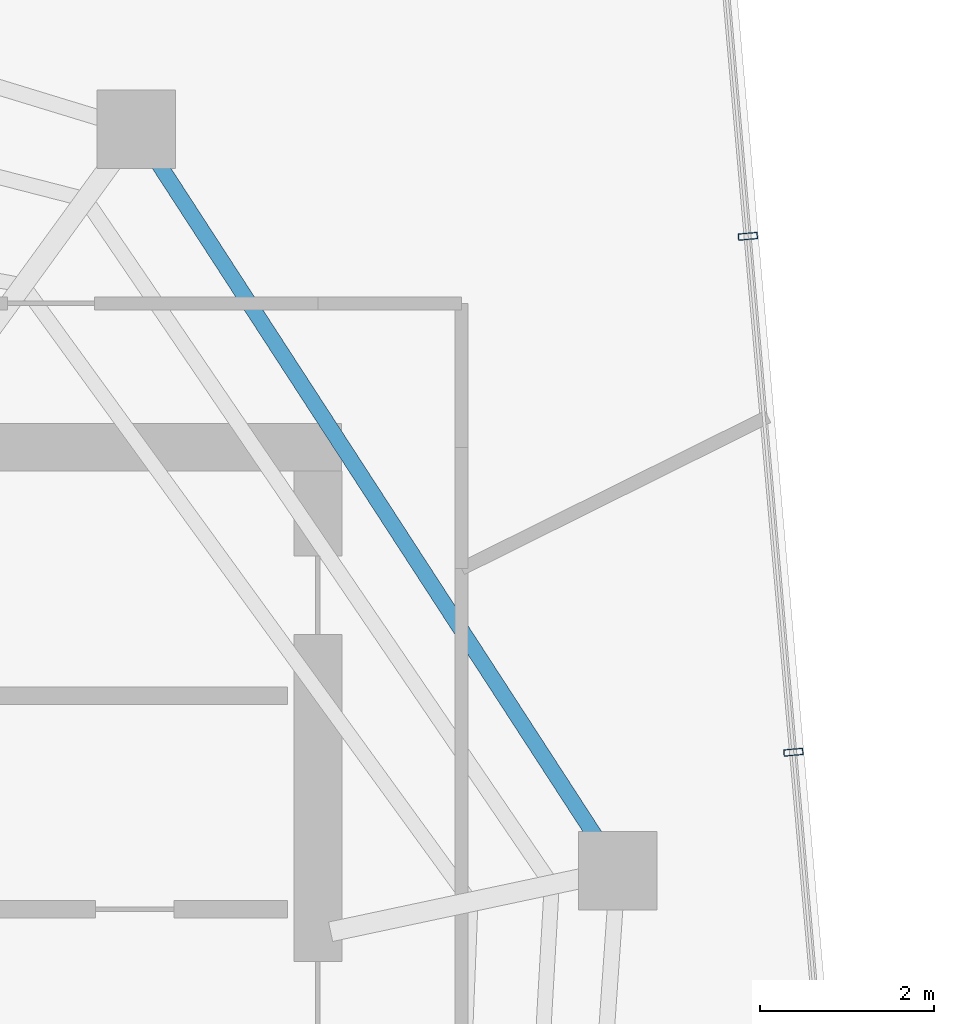
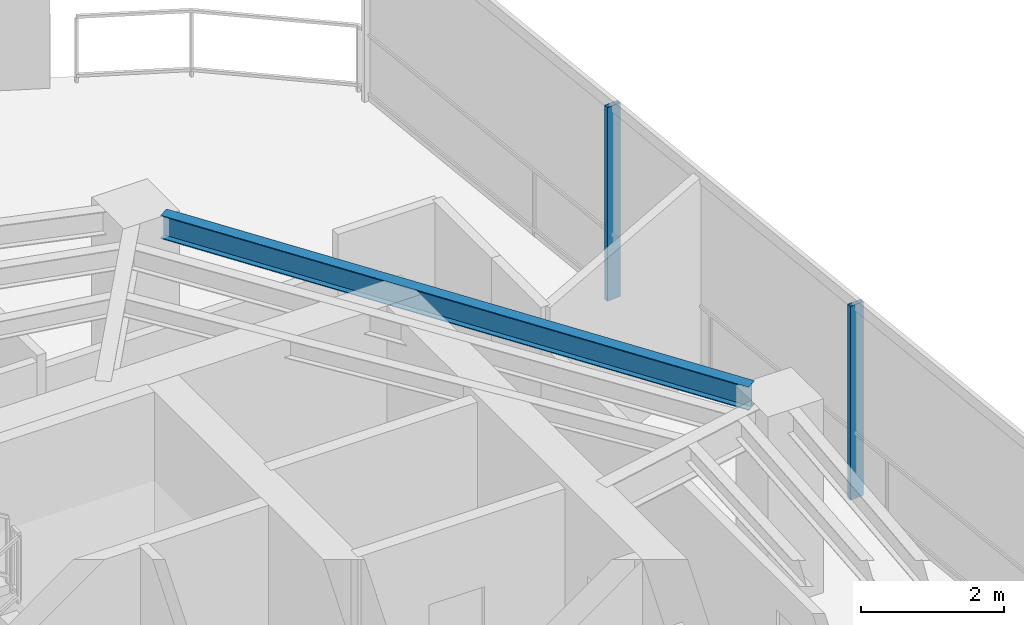
# One storey, part 11 of 20: 2 members, 1 beam, 1 element without a shape of its own.
"""IFC4 building model written with IfcOpenShell, lengths in metres."""

from ifc_helpers import new_model, si_unit, direction, frame, origin, origin_2d, place, context, subcontext, project, spatial, hollow_rectangle, i_section, extrude, material, layer, layer_set, material_profile, profile_set, type_object, element, aggregate, save


model = new_model("IFC4")

# Units and contexts
model_context = context("Model", 3, precision=1e-05, world=origin(), true_north=direction((0.0, 1.0)))
body_context = subcontext(model_context, "Body", "Model", "MODEL_VIEW")
ifc_project = project(units=[si_unit("LENGTHUNIT", "METRE"), si_unit("AREAUNIT", "SQUARE_METRE"), si_unit("VOLUMEUNIT", "CUBIC_METRE"), si_unit("PLANEANGLEUNIT", "RADIAN"), si_unit("MASSUNIT", "GRAM", prefix="KILO")], contexts=[model_context])

# Site, building, storey
site_placement = place(None, origin())
site = spatial("IfcSite", under=ifc_project, at=site_placement, CompositionType="ELEMENT")
building_placement = place(site_placement, origin())
building = spatial("IfcBuilding", under=site, at=building_placement, Name="Qarnah Convention Tower", CompositionType="ELEMENT")
storey_placement = place(building_placement, frame((0.0, 0.0, 198.60009765625)))
storey = spatial("IfcBuildingStorey", under=building, at=storey_placement, Name="L53", CompositionType="ELEMENT", Elevation=198.60009765625)

# Beam
ifc_material_1 = material(Name="Structural steel S355JR", Category="steel")
ifc_material_profile_1 = material_profile(ifc_material_1, i_section(OverallWidth=0.179931640625, OverallDepth=0.39990234375, WebThickness=0.009033203125, FlangeThickness=0.013916015625, at=origin_2d()), Name="IPE400")
ifc_profile_set_1 = profile_set([ifc_material_profile_1], Name="Structural steel S355JR")
beam_type = type_object("IfcBeamType", Name="BM-SPN-IPE400", PredefinedType="SPANDREL", material=ifc_profile_set_1)
beam_placement = place(storey_placement, frame((50.801025390625, 29.7109375, 3.119873046875), z_axis=(-0.544586178954, 0.838704890705, 0.0), x_axis=(-0.838704890705, -0.544586178954, 0.0)))
element("IfcBeam", 1, at=beam_placement, inside=storey, type_object=beam_type, Name="L53 spandrel BM-L53-SPN-01", PredefinedType="SPANDREL", context=body_context, shape_type="SweptSolid", body=[
    extrude(i_section(OverallWidth=0.179931640625, OverallDepth=0.39990234375, WebThickness=0.009033203125, FlangeThickness=0.013916015625, at=origin_2d()), origin(), (0.0, 0.0, 1.0), 9.261962890625),
])

# Curtain wall, members
ifc_material_2 = material(Name="Tempered Low-E dark glass", Category="glass")
ifc_layer = layer(ifc_material_2, 0.174072265625)
ifc_layer_set = layer_set([ifc_layer], Name="Tempered Low-E dark glass")
curtain_wall_type = type_object("IfcCurtainWallType", Name="CWS-04", PredefinedType="NOTDEFINED", material=ifc_layer_set)
curtain_wall_placement = place(storey_placement, origin())
curtain_wall = element("IfcCurtainWall", 2, at=curtain_wall_placement, inside=storey, type_object=curtain_wall_type, Name="L53 unitised curtain wall CW-L53-F3", PredefinedType="NOTDEFINED")
ifc_material_3 = material(Name="Black anodised aluminium", Category="aluminium")
ifc_material_profile_2 = material_profile(ifc_material_3, hollow_rectangle(XDim=0.074951171875, YDim=0.219970703125, WallThickness=0.0048828125, at=origin_2d()), Name="MUL-75X220")
ifc_profile_set_2 = profile_set([ifc_material_profile_2], Name="Black anodised aluminium")
member_type = type_object("IfcMemberType", Name="MUL-T4", PredefinedType="MULLION", material=ifc_profile_set_2)
member_1_placement = place(storey_placement, frame((52.533935546875, 36.619873046875, 0.0), z_axis=(0.0, 0.0, 1.0), x_axis=(0.087861384632, -0.996132710582, 0.0)))
member_1 = element("IfcMember", 3, at=member_1_placement, type_object=member_type, Name="CW-L53-F3 mullion 2", PredefinedType="MULLION", context=body_context, shape_type="SweptSolid", body=[
    extrude(hollow_rectangle(XDim=0.074951171875, YDim=0.219970703125, WallThickness=0.0048828125, at=origin_2d()), origin(), (0.0, 0.0, 1.0), 3.31982421875),
])
member_2_placement = place(storey_placement, frame((53.055908203125, 30.70166015625, 0.0), z_axis=(0.0, 0.0, 1.0), x_axis=(0.087861384632, -0.996132710582, 0.0)))
member_2 = element("IfcMember", 4, at=member_2_placement, type_object=member_type, Name="CW-L53-F3 mullion 3", PredefinedType="MULLION", context=body_context, shape_type="SweptSolid", body=[
    extrude(hollow_rectangle(XDim=0.074951171875, YDim=0.219970703125, WallThickness=0.0048828125, at=origin_2d()), origin(), (0.0, 0.0, 1.0), 3.31982421875),
])
aggregate(curtain_wall, [member_1, member_2])

save(model, "model.ifc")
